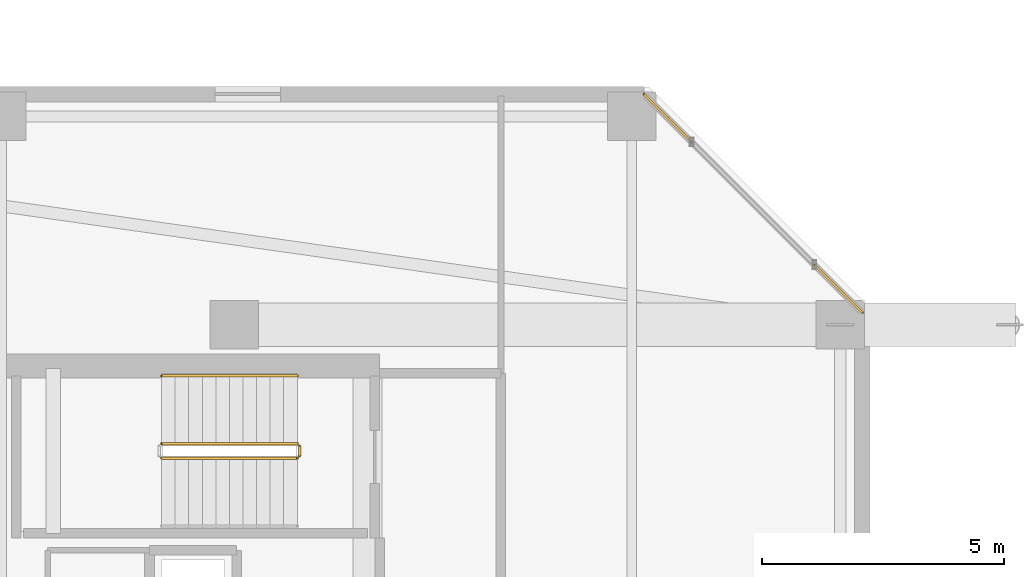
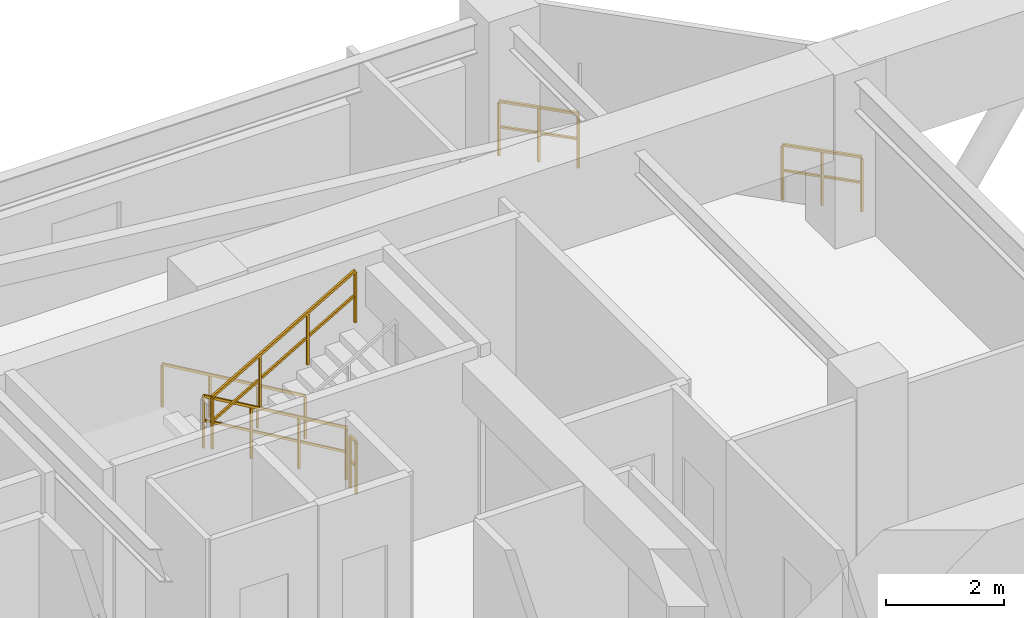
# One storey, part 32 of 34: 6 railings.
"""IFC4 building model written with IfcOpenShell, lengths in metres."""

from ifc_helpers import new_model, si_unit, direction, frame, origin, origin_2d, place, context, subcontext, project, spatial, rectangle, extrude, material, type_object, element, save


model = new_model("IFC4")

# Units and contexts
model_context = context("Model", 3, precision=1e-05, world=origin(), true_north=direction((0.0, 1.0)))
body_context = subcontext(model_context, "Body", "Model", "MODEL_VIEW")
ifc_project = project(units=[si_unit("LENGTHUNIT", "METRE"), si_unit("AREAUNIT", "SQUARE_METRE"), si_unit("VOLUMEUNIT", "CUBIC_METRE"), si_unit("PLANEANGLEUNIT", "RADIAN"), si_unit("MASSUNIT", "GRAM", prefix="KILO")], contexts=[model_context])

# Site, building, storey
site_placement = place(None, origin())
site = spatial("IfcSite", under=ifc_project, at=site_placement, CompositionType="ELEMENT")
building_placement = place(site_placement, origin())
building = spatial("IfcBuilding", under=site, at=building_placement, Name="Thornwick Lancets Civic Towers", CompositionType="ELEMENT")
storey_placement = place(building_placement, frame((0.0, 0.0, 251.10009765625)))
storey = spatial("IfcBuildingStorey", under=building, at=storey_placement, Name="L67", CompositionType="ELEMENT", Elevation=251.10009765625)

# Railings
ifc_material_1 = material(Name="Brushed stainless steel S355", Category="steel")
railing_type_1 = type_object("IfcRailingType", Name="RAIL_HANDRAIL", PredefinedType="HANDRAIL", material=ifc_material_1)
railing_1_placement = place(storey_placement, frame((31.60009765625, 38.949951171875, 0.16357421875)))
element("IfcRailing", 1, at=railing_1_placement, inside=storey, type_object=railing_type_1, Name="L67 ST-A2 stair handrail 1", PredefinedType="HANDRAIL", context=body_context, shape_type="SweptSolid", body=[
    extrude(rectangle(XDim=0.048095703125, YDim=0.048095703125, at=origin_2d()), frame((0.0, 0.0, 0.8857421875), z_axis=(-0.863393664356, 0.0, 0.504530851732), x_axis=(0.0, -1.0, 0.0)), (0.0, 0.0, 1.0), 3.2431640625),
    extrude(rectangle(XDim=0.0419921875, YDim=0.0419921875, at=origin_2d()), origin(), (0.0, 0.0, 1.0), 0.855712890625),
    extrude(rectangle(XDim=0.0419921875, YDim=0.0419921875, at=origin_2d()), frame((-0.933349609375, 0.0, 0.54541015625)), (0.0, 0.0, 1.0), 0.855712890625),
    extrude(rectangle(XDim=0.0419921875, YDim=0.0419921875, at=origin_2d()), frame((-1.86669921875, 0.0, 1.0908203125)), (0.0, 0.0, 1.0), 0.855712890625),
    extrude(rectangle(XDim=0.0419921875, YDim=0.0419921875, at=origin_2d()), frame((-2.800048828125, 0.0, 1.63623046875)), (0.0, 0.0, 1.0), 0.855712890625),
])
ifc_material_2 = material(Name="Steel S355JR", Category="steel")
railing_type_2 = type_object("IfcRailingType", Name="RAIL_STAIR_GUARD", PredefinedType="GUARDRAIL", material=ifc_material_2)
railing_2_placement = place(storey_placement, frame((31.60009765625, 37.550048828125, 0.16357421875)))
element("IfcRailing", 2, at=railing_2_placement, inside=storey, type_object=railing_type_2, Name="L67 ST-A2 stair guard 1", PredefinedType="GUARDRAIL", context=body_context, shape_type="SweptSolid", body=[
    extrude(rectangle(XDim=0.048095703125, YDim=0.048095703125, at=origin_2d()), frame((0.0, 0.0, 1.076171875), z_axis=(-0.863393664356, 0.0, 0.504530851732), x_axis=(0.0, -1.0, 0.0)), (0.0, 0.0, 1.0), 3.2431640625),
    extrude(rectangle(XDim=0.0419921875, YDim=0.0419921875, at=origin_2d()), frame((-0.032470703125, 0.0, 0.591064453125), z_axis=(-0.863393664356, 0.0, 0.504530851732), x_axis=(0.0, -1.0, 0.0)), (0.0, 0.0, 1.0), 1.006103515625),
    extrude(rectangle(XDim=0.0419921875, YDim=0.0419921875, at=origin_2d()), frame((-0.9658203125, 0.0, 1.136474609375), z_axis=(-0.863393664356, 0.0, 0.504530851732), x_axis=(0.0, -1.0, 0.0)), (0.0, 0.0, 1.0), 1.006103515625),
    extrude(rectangle(XDim=0.0419921875, YDim=0.0419921875, at=origin_2d()), frame((-1.899169921875, 0.0, 1.681884765625), z_axis=(-0.863393664356, 0.0, 0.504530851732), x_axis=(0.0, -1.0, 0.0)), (0.0, 0.0, 1.0), 1.006103515625),
    extrude(rectangle(XDim=0.0419921875, YDim=0.0419921875, at=origin_2d()), origin(), (0.0, 0.0, 1.0), 1.0458984375),
    extrude(rectangle(XDim=0.0419921875, YDim=0.0419921875, at=origin_2d()), frame((-0.933349609375, 0.0, 0.54541015625)), (0.0, 0.0, 1.0), 1.0458984375),
    extrude(rectangle(XDim=0.0419921875, YDim=0.0419921875, at=origin_2d()), frame((-1.86669921875, 0.0, 1.0908203125)), (0.0, 0.0, 1.0), 1.0458984375),
    extrude(rectangle(XDim=0.0419921875, YDim=0.0419921875, at=origin_2d()), frame((-2.800048828125, 0.0, 1.63623046875)), (0.0, 0.0, 1.0), 1.0458984375),
])
railing_3_placement = place(storey_placement, frame((28.800048828125, 37.25, 1.963623046875)))
element("IfcRailing", 3, at=railing_3_placement, inside=storey, type_object=railing_type_2, Name="L67 ST-A2 stair guard 3", PredefinedType="GUARDRAIL", context=body_context, shape_type="SweptSolid", body=[
    extrude(rectangle(XDim=0.048095703125, YDim=0.048095703125, at=origin_2d()), frame((0.0, 0.0, 1.076171875), z_axis=(0.863393664356, 0.0, 0.504530851732), x_axis=(0.0, 1.0, 0.0)), (0.0, 0.0, 1.0), 3.2431640625),
    extrude(rectangle(XDim=0.0419921875, YDim=0.0419921875, at=origin_2d()), frame((0.032470703125, 0.0, 0.591064453125), z_axis=(0.863393664356, 0.0, 0.504530851732), x_axis=(0.0, 1.0, 0.0)), (0.0, 0.0, 1.0), 1.006103515625),
    extrude(rectangle(XDim=0.0419921875, YDim=0.0419921875, at=origin_2d()), frame((0.9658203125, 0.0, 1.136474609375), z_axis=(0.863393664356, 0.0, 0.504530851732), x_axis=(0.0, 1.0, 0.0)), (0.0, 0.0, 1.0), 1.006103515625),
    extrude(rectangle(XDim=0.0419921875, YDim=0.0419921875, at=origin_2d()), frame((1.899169921875, 0.0, 1.681884765625), z_axis=(0.863393664356, 0.0, 0.504530851732), x_axis=(0.0, 1.0, 0.0)), (0.0, 0.0, 1.0), 1.006103515625),
    extrude(rectangle(XDim=0.0419921875, YDim=0.0419921875, at=origin_2d()), origin(), (0.0, 0.0, 1.0), 1.0458984375),
    extrude(rectangle(XDim=0.0419921875, YDim=0.0419921875, at=origin_2d()), frame((0.933349609375, 0.0, 0.54541015625)), (0.0, 0.0, 1.0), 1.0458984375),
    extrude(rectangle(XDim=0.0419921875, YDim=0.0419921875, at=origin_2d()), frame((1.86669921875, 0.0, 1.0908203125)), (0.0, 0.0, 1.0), 1.0458984375),
    extrude(rectangle(XDim=0.0419921875, YDim=0.0419921875, at=origin_2d()), frame((2.800048828125, 0.0, 1.63623046875)), (0.0, 0.0, 1.0), 1.0458984375),
])
railing_4_placement = place(storey_placement, frame((31.64990234375, 37.5, 0.0)))
element("IfcRailing", 4, at=railing_4_placement, inside=storey, type_object=railing_type_2, Name="L67 ST-A2 stair guard 4", PredefinedType="GUARDRAIL", context=body_context, shape_type="SweptSolid", body=[
    extrude(rectangle(XDim=0.048095703125, YDim=0.048095703125, at=origin_2d()), frame((0.0, 0.0, 1.076171875), z_axis=(0.0, -1.0, 0.0), x_axis=(1.0, 0.0, 0.0)), (0.0, 0.0, 1.0), 0.199951171875),
    extrude(rectangle(XDim=0.0419921875, YDim=0.0419921875, at=origin_2d()), frame((0.0, -0.03759765625, 0.572021484375), z_axis=(0.0, -1.0, 0.0), x_axis=(1.0, 0.0, 0.0)), (0.0, 0.0, 1.0), 0.125),
    extrude(rectangle(XDim=0.0419921875, YDim=0.0419921875, at=origin_2d()), origin(), (0.0, 0.0, 1.0), 1.0458984375),
    extrude(rectangle(XDim=0.0419921875, YDim=0.0419921875, at=origin_2d()), frame((0.0, -0.199951171875, 0.0)), (0.0, 0.0, 1.0), 1.0458984375),
])
ifc_material_3 = material(Name="Terracotta-capped laminated glass balustrade S355", Category="masonry")
railing_type_3 = type_object("IfcRailingType", Name="RAIL_TERR_GUARD", PredefinedType="GUARDRAIL", material=ifc_material_3)
for number, where, name in (
    (5, (43.25830078125, 40.2509765625, 0.0), "L67 Tower A Chamfer Spandrel Guard E3-1"),
    (6, (39.738525390625, 43.770751953125, 0.0), "L67 Tower A Chamfer Spandrel Guard E3-2"),
):
    element("IfcRailing", number, at=place(storey_placement, frame(where)), inside=storey, type_object=railing_type_3, Name=name, PredefinedType="GUARDRAIL", context=body_context, shape_type="SweptSolid", body=[
        extrude(rectangle(XDim=0.048095703125, YDim=0.048095703125, at=origin_2d()), frame((0.0, 0.0, 1.1259765625), z_axis=(-0.707106781187, 0.707106781187, 0.0), x_axis=(-0.707106781187, -0.707106781187, 0.0)), (0.0, 0.0, 1.0), 1.396484375),
        extrude(rectangle(XDim=0.0419921875, YDim=0.0419921875, at=origin_2d()), frame((-0.026611328125, 0.026611328125, 0.597900390625), z_axis=(-0.707106781187, 0.707106781187, 0.0), x_axis=(-0.707106781187, -0.707106781187, 0.0)), (0.0, 0.0, 1.0), 0.623291015625),
        extrude(rectangle(XDim=0.0419921875, YDim=0.0419921875, at=origin_2d()), frame((-0.520263671875, 0.520263671875, 0.597900390625), z_axis=(-0.707106781187, 0.707106781187, 0.0), x_axis=(-0.707106781187, -0.707106781187, 0.0)), (0.0, 0.0, 1.0), 0.623291015625),
        extrude(rectangle(XDim=0.0419921875, YDim=0.0419921875, at=origin_2d()), origin(), (0.0, 0.0, 1.0), 1.095703125),
        extrude(rectangle(XDim=0.0419921875, YDim=0.0419921875, at=origin_2d()), frame((-0.49365234375, 0.49365234375, 0.0)), (0.0, 0.0, 1.0), 1.095703125),
        extrude(rectangle(XDim=0.0419921875, YDim=0.0419921875, at=origin_2d()), frame((-0.987548828125, 0.987548828125, 0.0)), (0.0, 0.0, 1.0), 1.095703125),
    ])

save(model, "model.ifc")
